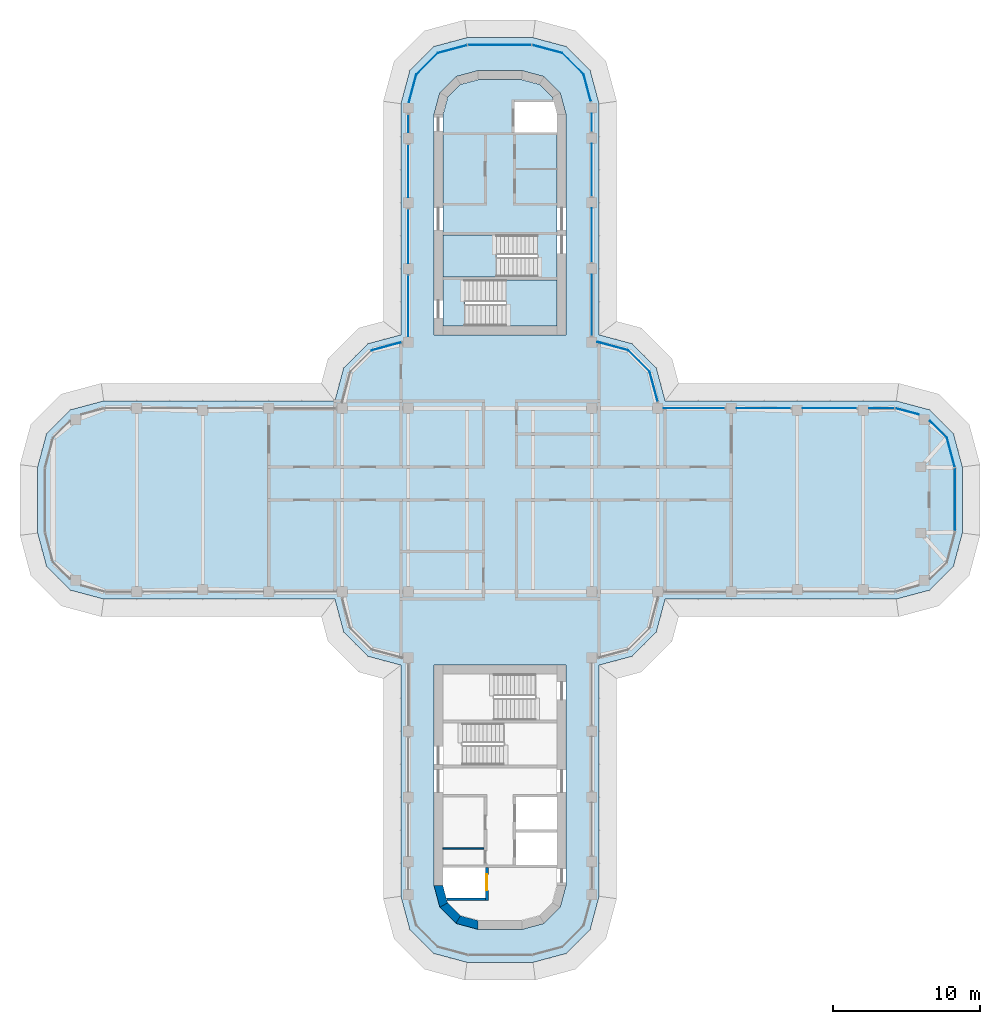
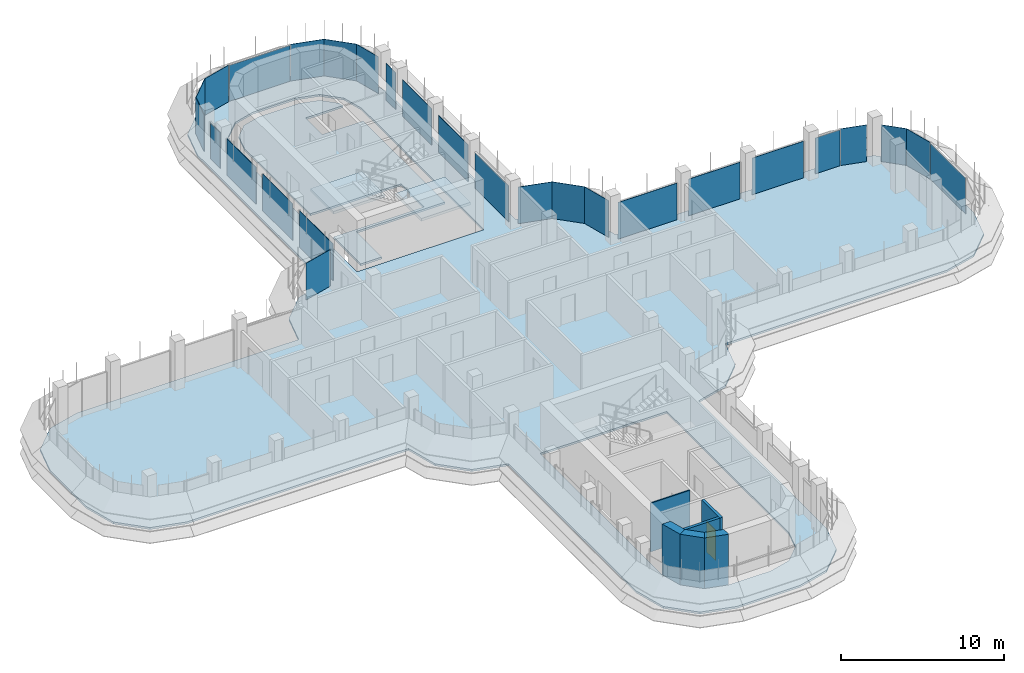
# One storey, part 12 of 18: 27 plates, 6 walls, 4 slabs, 1 door, 1 opening, 20 elements without a shape of their own.
"""IFC4 building model written with IfcOpenShell, lengths in metres."""

from ifc_helpers import new_model, si_unit, direction, frame, frame_2d, origin, place, context, subcontext, project, spatial, polyline, rectangle, outline, extrude, source, transform, mapped, material, layer, layer_set, type_object, element, fill, aggregate, save


model = new_model("IFC4")

# Units and contexts
model_context = context("Model", 3, precision=1e-05, world=origin(), true_north=direction((0.0, 1.0)))
body_context = subcontext(model_context, "Body", "Model", "MODEL_VIEW")
ifc_project = project(units=[si_unit("LENGTHUNIT", "METRE"), si_unit("AREAUNIT", "SQUARE_METRE"), si_unit("VOLUMEUNIT", "CUBIC_METRE"), si_unit("PLANEANGLEUNIT", "RADIAN"), si_unit("MASSUNIT", "GRAM", prefix="KILO")], contexts=[model_context])

# Site, building, storey
site_placement = place(None, origin())
site = spatial("IfcSite", under=ifc_project, at=site_placement, CompositionType="ELEMENT")
building_placement = place(site_placement, origin())
building = spatial("IfcBuilding", under=site, at=building_placement, Name="Zarbagh Exchange Tower", CompositionType="ELEMENT")
storey_placement = place(building_placement, frame((0.0, 0.0, 210.60009765625)))
storey = spatial("IfcBuildingStorey", under=building, at=storey_placement, Name="L51", CompositionType="ELEMENT", Elevation=210.60009765625)

# Slabs
ifc_material_1 = material(Name="Concrete C40/50", Category="concrete")
ifc_layer_1 = layer(ifc_material_1, 0.14990234375)
ifc_layer_set_1 = layer_set([ifc_layer_1], Name="Composite floor slab 150 C40/50")
slab_type_1 = type_object("IfcSlabType", Name="Composite floor slab 150 C40/50", PredefinedType="FLOOR", material=ifc_layer_set_1)
slab_1_placement = place(storey_placement, frame((0.0, 0.0, -0.150146484375)))
element("IfcSlab", 1, at=slab_1_placement, inside=storey, type_object=slab_type_1, Name="S5 composite floor slab", PredefinedType="FLOOR", context=body_context, shape_type="SweptSolid", body=[
    extrude(outline(polyline([(-2.25, -31.5), (-4.5, -30.897216796875), (-6.147216796875, -29.25), (-6.75, -27.0), (-6.75, -11.25), (-9.0, -10.647216796875), (-10.647216796875, -9.0), (-11.25, -6.75), (-27.0, -6.75), (-29.25, -6.147216796875), (-30.897216796875, -4.5), (-31.5, -2.25), (-31.5, 2.25), (-30.897216796875, 4.5), (-29.25, 6.147216796875), (-27.0, 6.75), (-11.25, 6.75), (-10.647216796875, 9.0), (-9.0, 10.647216796875), (-6.75, 11.25), (-6.75, 27.0), (-6.147216796875, 29.25), (-4.5, 30.897216796875), (-2.25, 31.5), (2.25, 31.5), (4.5, 30.897216796875), (6.147216796875, 29.25), (6.75, 27.0), (6.75, 11.25), (9.0, 10.647216796875), (10.647216796875, 9.0), (11.25, 6.75), (27.0, 6.75), (29.25, 6.147216796875), (30.897216796875, 4.5), (31.5, 2.25), (31.5, -2.25), (30.897216796875, -4.5), (29.25, -6.147216796875), (27.0, -6.75), (11.25, -6.75), (10.647216796875, -9.0), (9.0, -10.647216796875), (6.75, -11.25), (6.75, -27.0), (6.147216796875, -29.25), (4.5, -30.897216796875), (2.25, -31.5), (-2.25, -31.5)]), holes=[polyline([(4.5, 11.25), (4.5, 26.25), (4.09814453125, 27.75), (3.0, 28.84814453125), (1.5, 29.25), (-1.5, 29.25), (-3.0, 28.84814453125), (-4.09814453125, 27.75), (-4.5, 26.25), (-4.5, 11.25), (4.5, 11.25)]), polyline([(-1.5, -29.25), (1.5, -29.25), (3.0, -28.84814453125), (4.09814453125, -27.75), (4.5, -26.25), (4.5, -11.25), (-4.5, -11.25), (-4.5, -26.25), (-4.09814453125, -27.75), (-3.0, -28.84814453125), (-1.5, -29.25)])]), origin(), (0.0, 0.0, 1.0), 0.150146484375),
])
ifc_layer_2 = layer(ifc_material_1, 0.14990234375)
ifc_layer_set_2 = layer_set([ifc_layer_2], Name="Core floor slab 150 C40/50")
slab_type_2 = type_object("IfcSlabType", Name="Core floor slab 150 C40/50", PredefinedType="FLOOR", material=ifc_layer_set_2)
slab_2_placement = place(storey_placement, frame((0.0, 0.0, -0.150146484375)))
element("IfcSlab", 2, at=slab_2_placement, inside=storey, type_object=slab_type_2, Name="S17 core N", PredefinedType="FLOOR", context=body_context, shape_type="SweptSolid", body=[
    extrude(outline(polyline([(-3.89990234375, 11.85009765625), (-3.89990234375, 15.199951171875), (2.550048828125, 15.199951171875), (2.550048828125, 18.050048828125), (-3.89990234375, 18.050048828125), (-3.89990234375, 26.1708984375), (-3.56005859375, 27.439453125), (-2.689453125, 28.31005859375), (-1.4208984375, 28.64990234375), (1.4208984375, 28.64990234375), (2.689453125, 28.31005859375), (3.56005859375, 27.439453125), (3.651123046875, 27.10009765625), (1.0, 27.10009765625), (1.0, 25.050048828125), (3.89990234375, 25.050048828125), (3.89990234375, 15.0), (-2.39990234375, 15.0), (-2.39990234375, 11.85009765625), (-3.89990234375, 11.85009765625)])), origin(), (0.0, 0.0, 1.0), 0.150146484375),
])

# Stair, slab
stair_type = type_object("IfcStairType", Name="Exit stair two-flight half-turn", PredefinedType="HALF_TURN_STAIR", material=ifc_material_1)
stair_1_placement = place(storey_placement, origin())
stair_1 = element("IfcStair", 3, at=stair_1_placement, inside=storey, type_object=stair_type, Name="exit stair ST1", PredefinedType="HALF_TURN_STAIR")
ifc_layer_3 = layer(ifc_material_1, 0.199951171875)
ifc_layer_set_3 = layer_set([ifc_layer_3], Name="Stair landing 200 mm")
slab_type_3 = type_object("IfcSlabType", Name="Stair landing 200 mm", PredefinedType="LANDING", material=ifc_layer_set_3)
slab_3_placement = place(storey_placement, frame((0.0, 0.0, 1.699951171875)))
slab_3 = element("IfcSlab", 4, at=slab_3_placement, type_object=slab_type_3, Name="ST1 landing 1", PredefinedType="LANDING", context=body_context, shape_type="SweptSolid", body=[
    extrude(outline(polyline([(-0.25, 18.050048828125), (-3.89990234375, 18.050048828125), (-3.89990234375, 15.199951171875), (-0.25, 15.199951171875), (-0.25, 18.050048828125)])), origin(), (0.0, 0.0, 1.0), 0.199951171875),
])
aggregate(stair_1, [slab_3])

stair_2_placement = place(storey_placement, origin())
stair_2 = element("IfcStair", 5, at=stair_2_placement, inside=storey, type_object=stair_type, Name="exit stair ST2", PredefinedType="HALF_TURN_STAIR")
slab_4_placement = place(storey_placement, frame((0.0, 0.0, 1.699951171875)))
slab_4 = element("IfcSlab", 6, at=slab_4_placement, type_object=slab_type_3, Name="ST2 landing 1", PredefinedType="LANDING", context=body_context, shape_type="SweptSolid", body=[
    extrude(outline(polyline([(0.39990234375, 11.85009765625), (3.89990234375, 11.85009765625), (3.89990234375, 15.0), (0.39990234375, 15.0), (0.39990234375, 11.85009765625)])), origin(), (0.0, 0.0, 1.0), 0.199951171875),
])
aggregate(stair_2, [slab_4])

# Curtain wall, plate
ifc_material_2 = material(Name="Anodised aluminium frame and glazing", Category="aluminium")
curtain_wall_type = type_object("IfcCurtainWallType", Name="CWB Ribbon glazing, upper zones", PredefinedType="NOTDEFINED", material=ifc_material_2)
curtain_wall_1_placement = place(storey_placement, origin())
curtain_wall_1 = element("IfcCurtainWall", 7, at=curtain_wall_1_placement, inside=storey, type_object=curtain_wall_type, Name="CWB18 curtain wall", PredefinedType="NOTDEFINED")
ifc_material_3 = material(Name="Low-e double glazed unit, 6+12+6 mm")
ifc_layer_4 = layer(ifc_material_3, 0.031982421875)
ifc_layer_set_4 = layer_set([ifc_layer_4], Name="PAB Glazing panel, Low-e double glazed unit, 6+12+6 mm")
plate_type = type_object("IfcPlateType", Name="PAB Glazing panel, Low-e double glazed unit, 6+12+6 mm", PredefinedType="CURTAIN_PANEL", material=ifc_layer_set_4)
shared_shape_1 = source(origin(), body_context, "Body", "SweptSolid", [
    extrude(outline(polyline([(0.0, -0.01611328125), (2.061279296875, -0.01611328125), (2.061279296875, 0.01611328125), (0.0, 0.01611328125), (0.0, -0.01611328125)])), origin(), (0.0, 0.0, 1.0), 2.75),
])
placement = place(storey_placement, origin())
plate_1 = element("IfcPlate", 8, at=placement, type_object=plate_type, Name="CWB18 glazing panel 1.1", PredefinedType="CURTAIN_PANEL", context=body_context, shape_type="MappedRepresentation", body=[
    mapped(shared_shape_1, transform((10.19873046875, 8.7412109375, 0.0), x_axis=(-0.707106781187, 0.707106781187, 0.0), y_axis=(-0.707106781187, -0.707106781187, 0.0), z_axis=(0.0, 0.0, 1.0))),
])
aggregate(curtain_wall_1, [plate_1])

curtain_wall_2_placement = place(storey_placement, origin())
curtain_wall_2 = element("IfcCurtainWall", 9, at=curtain_wall_2_placement, inside=storey, type_object=curtain_wall_type, Name="CWB22 curtain wall", PredefinedType="NOTDEFINED")
plate_2 = element("IfcPlate", 10, at=placement, type_object=plate_type, Name="CWB22 glazing panel 1.1", PredefinedType="CURTAIN_PANEL", context=body_context, shape_type="MappedRepresentation", body=[
    mapped(shared_shape_1, transform((5.69873046875, 28.9912109375, 0.0), x_axis=(-0.707106781187, 0.707106781187, 0.0), y_axis=(-0.707106781187, -0.707106781187, 0.0), z_axis=(0.0, 0.0, 1.0))),
])
aggregate(curtain_wall_2, [plate_2])

curtain_wall_3_placement = place(storey_placement, origin())
curtain_wall_3 = element("IfcCurtainWall", 11, at=curtain_wall_3_placement, inside=storey, type_object=curtain_wall_type, Name="CWB26 curtain wall", PredefinedType="NOTDEFINED")
plate_3 = element("IfcPlate", 12, at=placement, type_object=plate_type, Name="CWB26 glazing panel 1.1", PredefinedType="CURTAIN_PANEL", context=body_context, shape_type="MappedRepresentation", body=[
    mapped(shared_shape_1, transform((-4.2412109375, 30.44873046875, 0.0), x_axis=(-0.707106781187, -0.707106781187, 0.0), y_axis=(0.707106781187, -0.707106781187, 0.0), z_axis=(0.0, 0.0, 1.0))),
])
aggregate(curtain_wall_3, [plate_3])

curtain_wall_4_placement = place(storey_placement, origin())
curtain_wall_4 = element("IfcCurtainWall", 13, at=curtain_wall_4_placement, inside=storey, type_object=curtain_wall_type, Name="CWB23 curtain wall", PredefinedType="NOTDEFINED")
shared_shape_2 = source(origin(), body_context, "Body", "SweptSolid", [
    extrude(outline(polyline([(0.0, -0.01611328125), (2.129638671875, -0.01611328125), (2.129638671875, 0.01611328125), (0.0, 0.01611328125), (0.0, -0.01611328125)])), origin(), (0.0, 0.0, 1.0), 2.75),
])
plate_4 = element("IfcPlate", 14, at=placement, type_object=plate_type, Name="CWB23 glazing panel 1.1", PredefinedType="CURTAIN_PANEL", context=body_context, shape_type="MappedRepresentation", body=[
    mapped(shared_shape_2, transform((4.2412109375, 30.44873046875, 0.0), x_axis=(-0.965924289636, 0.258824779902, 0.0), y_axis=(-0.258824779902, -0.965924289636, 0.0), z_axis=(0.0, 0.0, 1.0))),
])
aggregate(curtain_wall_4, [plate_4])

curtain_wall_5_placement = place(storey_placement, origin())
curtain_wall_5 = element("IfcCurtainWall", 15, at=curtain_wall_5_placement, inside=storey, type_object=curtain_wall_type, Name="CWB20 curtain wall", PredefinedType="NOTDEFINED")
shared_shape_3 = source(origin(), body_context, "Body", "SweptSolid", [
    extrude(outline(polyline([(0.0, -0.01611328125), (3.56005859375, -0.01611328125), (3.56005859375, 0.01611328125), (0.0, 0.01611328125), (0.0, -0.01611328125)])), origin(), (0.0, 0.0, 1.0), 2.75),
])
plate_5 = element("IfcPlate", 16, at=placement, type_object=plate_type, Name="CWB20 glazing panel 3.1", PredefinedType="CURTAIN_PANEL", context=body_context, shape_type="MappedRepresentation", body=[
    mapped(shared_shape_3, transform((6.25, 20.699951171875, 0.0), x_axis=(0.0, 1.0, 0.0), y_axis=(-1.0, 0.0, 0.0), z_axis=(0.0, 0.0, 1.0))),
])

curtain_wall_6_placement = place(storey_placement, origin())
curtain_wall_6 = element("IfcCurtainWall", 17, at=curtain_wall_6_placement, inside=storey, type_object=curtain_wall_type, Name="CWB28 curtain wall", PredefinedType="NOTDEFINED")
plate_6 = element("IfcPlate", 18, at=placement, type_object=plate_type, Name="CWB28 glazing panel 2.1", PredefinedType="CURTAIN_PANEL", context=body_context, shape_type="MappedRepresentation", body=[
    mapped(shared_shape_3, transform((-6.25, 24.199951171875, 0.0), x_axis=(0.0, -1.0, 0.0), y_axis=(1.0, 0.0, 0.0), z_axis=(0.0, 0.0, 1.0))),
])

curtain_wall_7_placement = place(storey_placement, origin())
curtain_wall_7 = element("IfcCurtainWall", 19, at=curtain_wall_7_placement, inside=storey, type_object=curtain_wall_type, Name="CWB12 curtain wall", PredefinedType="NOTDEFINED")
shared_shape_4 = source(origin(), body_context, "Body", "SweptSolid", [
    extrude(outline(polyline([(0.0, -0.01611328125), (4.308349609375, -0.01611328125), (4.308349609375, 0.01611328125), (0.0, 0.01611328125), (0.0, -0.01611328125)])), origin(), (0.0, 0.0, 1.0), 2.68994140625),
])
plate_7 = element("IfcPlate", 20, at=placement, type_object=plate_type, Name="CWB12 glazing panel 1.1", PredefinedType="CURTAIN_PANEL", context=body_context, shape_type="MappedRepresentation", body=[
    mapped(shared_shape_4, transform((31.0, -2.124267578125, 0.0), x_axis=(0.0, 1.0, 0.0), y_axis=(-1.0, 0.0, 0.0), z_axis=(0.0, 0.0, 1.0))),
])
aggregate(curtain_wall_7, [plate_7])

curtain_wall_8_placement = place(storey_placement, origin())
curtain_wall_8 = element("IfcCurtainWall", 21, at=curtain_wall_8_placement, inside=storey, type_object=curtain_wall_type, Name="CWB24 curtain wall", PredefinedType="NOTDEFINED")
plate_8 = element("IfcPlate", 22, at=placement, type_object=plate_type, Name="CWB24 glazing panel 1.1", PredefinedType="CURTAIN_PANEL", context=body_context, shape_type="MappedRepresentation", body=[
    mapped(shared_shape_4, transform((2.124267578125, 31.0, 0.0), x_axis=(-1.0, 0.0, 0.0), y_axis=(0.0, -1.0, 0.0), z_axis=(0.0, 0.0, 1.0))),
])
aggregate(curtain_wall_8, [plate_8])

curtain_wall_9_placement = place(storey_placement, origin())
curtain_wall_9 = element("IfcCurtainWall", 23, at=curtain_wall_9_placement, inside=storey, type_object=curtain_wall_type, Name="CWB13 curtain wall", PredefinedType="NOTDEFINED")
shared_shape_5 = source(origin(), body_context, "Body", "SweptSolid", [
    extrude(outline(polyline([(0.0, -0.01611328125), (2.069580078125, -0.01611328125), (2.069580078125, 0.01611328125), (0.0, 0.01611328125), (0.0, -0.01611328125)])), origin(), (0.0, 0.0, 1.0), 2.75),
])
plate_9 = element("IfcPlate", 24, at=placement, type_object=plate_type, Name="CWB13 glazing panel 1.1", PredefinedType="CURTAIN_PANEL", context=body_context, shape_type="MappedRepresentation", body=[
    mapped(shared_shape_5, transform((30.984375, 2.2421875, 0.0), x_axis=(-0.258824779902, 0.965924289636, 0.0), y_axis=(-0.965924289636, -0.258824779902, 0.0), z_axis=(0.0, 0.0, 1.0))),
])
aggregate(curtain_wall_9, [plate_9])

curtain_wall_10_placement = place(storey_placement, origin())
curtain_wall_10 = element("IfcCurtainWall", 25, at=curtain_wall_10_placement, inside=storey, type_object=curtain_wall_type, Name="CWB25 curtain wall", PredefinedType="NOTDEFINED")
plate_10 = element("IfcPlate", 26, at=placement, type_object=plate_type, Name="CWB25 glazing panel 1.1", PredefinedType="CURTAIN_PANEL", context=body_context, shape_type="MappedRepresentation", body=[
    mapped(shared_shape_5, transform((-2.2421875, 30.984375, 0.0), x_axis=(-0.965924289636, -0.258824779902, 0.0), y_axis=(0.258824779902, -0.965924289636, 0.0), z_axis=(0.0, 0.0, 1.0))),
])
aggregate(curtain_wall_10, [plate_10])

# Curtain wall, plates
curtain_wall_11_placement = place(storey_placement, origin())
curtain_wall_11 = element("IfcCurtainWall", 27, at=curtain_wall_11_placement, inside=storey, type_object=curtain_wall_type, Name="CWB16 curtain wall", PredefinedType="NOTDEFINED")
shared_shape_6 = source(origin(), body_context, "Body", "SweptSolid", [
    extrude(outline(polyline([(0.0, -0.01611328125), (3.659912109375, -0.01611328125), (3.659912109375, 0.01611328125), (0.0, 0.01611328125), (0.0, -0.01611328125)])), origin(), (0.0, 0.0, 1.0), 2.75),
])
plate_11 = element("IfcPlate", 28, at=placement, type_object=plate_type, Name="CWB16 glazing panel 2.1", PredefinedType="CURTAIN_PANEL", context=body_context, shape_type="MappedRepresentation", body=[
    mapped(shared_shape_6, transform((24.300048828125, 6.25, 0.0), x_axis=(-1.0, 0.0, 0.0), y_axis=(0.0, -1.0, 0.0), z_axis=(0.0, 0.0, 1.0))),
])
plate_12 = element("IfcPlate", 29, at=placement, type_object=plate_type, Name="CWB16 glazing panel 3.1", PredefinedType="CURTAIN_PANEL", context=body_context, shape_type="MappedRepresentation", body=[
    mapped(shared_shape_6, transform((19.800048828125, 6.25, 0.0), x_axis=(-1.0, 0.0, 0.0), y_axis=(0.0, -1.0, 0.0), z_axis=(0.0, 0.0, 1.0))),
])

# Plate
plate_13 = element("IfcPlate", 30, at=placement, type_object=plate_type, Name="CWB20 glazing panel 2.1", PredefinedType="CURTAIN_PANEL", context=body_context, shape_type="MappedRepresentation", body=[
    mapped(shared_shape_6, transform((6.25, 16.199951171875, 0.0), x_axis=(0.0, 1.0, 0.0), y_axis=(-1.0, 0.0, 0.0), z_axis=(0.0, 0.0, 1.0))),
])

plate_14 = element("IfcPlate", 31, at=placement, type_object=plate_type, Name="CWB28 glazing panel 3.1", PredefinedType="CURTAIN_PANEL", context=body_context, shape_type="MappedRepresentation", body=[
    mapped(shared_shape_6, transform((-6.25, 19.800048828125, 0.0), x_axis=(0.0, -1.0, 0.0), y_axis=(1.0, 0.0, 0.0), z_axis=(0.0, 0.0, 1.0))),
])

shared_shape_7 = source(origin(), body_context, "Body", "SweptSolid", [
    extrude(outline(polyline([(0.0, -0.01611328125), (4.159912109375, -0.01611328125), (4.159912109375, 0.01611328125), (0.0, 0.01611328125), (0.0, -0.01611328125)])), origin(), (0.0, 0.0, 1.0), 2.75),
])
plate_15 = element("IfcPlate", 32, at=placement, type_object=plate_type, Name="CWB16 glazing panel 4.1", PredefinedType="CURTAIN_PANEL", context=body_context, shape_type="MappedRepresentation", body=[
    mapped(shared_shape_7, transform((15.300048828125, 6.25, 0.0), x_axis=(-1.0, 0.0, 0.0), y_axis=(0.0, -1.0, 0.0), z_axis=(0.0, 0.0, 1.0))),
])

plate_16 = element("IfcPlate", 33, at=placement, type_object=plate_type, Name="CWB28 glazing panel 4.1", PredefinedType="CURTAIN_PANEL", context=body_context, shape_type="MappedRepresentation", body=[
    mapped(shared_shape_7, transform((-6.25, 15.300048828125, 0.0), x_axis=(0.0, -1.0, 0.0), y_axis=(1.0, 0.0, 0.0), z_axis=(0.0, 0.0, 1.0))),
])

# Curtain wall, plate
curtain_wall_12_placement = place(storey_placement, origin())
curtain_wall_12 = element("IfcCurtainWall", 34, at=curtain_wall_12_placement, inside=storey, type_object=curtain_wall_type, Name="CWB17 curtain wall", PredefinedType="NOTDEFINED")
shared_shape_8 = source(origin(), body_context, "Body", "SweptSolid", [
    extrude(outline(polyline([(0.0, -0.01611328125), (2.115234375, -0.01611328125), (2.115234375, 0.01611328125), (0.0, 0.01611328125), (0.0, -0.01611328125)])), origin(), (0.0, 0.0, 1.0), 2.75),
])
plate_17 = element("IfcPlate", 35, at=placement, type_object=plate_type, Name="CWB17 glazing panel 1.1", PredefinedType="CURTAIN_PANEL", context=body_context, shape_type="MappedRepresentation", body=[
    mapped(shared_shape_8, transform((10.746337890625, 6.697998046875, 0.0), x_axis=(-0.258824779902, 0.965924289636, 0.0), y_axis=(-0.965924289636, -0.258824779902, 0.0), z_axis=(0.0, 0.0, 1.0))),
])
aggregate(curtain_wall_12, [plate_17])

curtain_wall_13_placement = place(storey_placement, origin())
curtain_wall_13 = element("IfcCurtainWall", 36, at=curtain_wall_13_placement, inside=storey, type_object=curtain_wall_type, Name="CWB29 curtain wall", PredefinedType="NOTDEFINED")
plate_18 = element("IfcPlate", 37, at=placement, type_object=plate_type, Name="CWB29 glazing panel 1.1", PredefinedType="CURTAIN_PANEL", context=body_context, shape_type="MappedRepresentation", body=[
    mapped(shared_shape_8, transform((-6.697998046875, 10.746337890625, 0.0), x_axis=(-0.965924289636, -0.258824779902, 0.0), y_axis=(0.258824779902, -0.965924289636, 0.0), z_axis=(0.0, 0.0, 1.0))),
])
aggregate(curtain_wall_13, [plate_18])

curtain_wall_14_placement = place(storey_placement, origin())
curtain_wall_14 = element("IfcCurtainWall", 38, at=curtain_wall_14_placement, inside=storey, type_object=curtain_wall_type, Name="CWB19 curtain wall", PredefinedType="NOTDEFINED")
shared_shape_9 = source(origin(), body_context, "Body", "SweptSolid", [
    extrude(outline(polyline([(0.0, -0.01611328125), (2.17529296875, -0.01611328125), (2.17529296875, 0.01611328125), (0.0, 0.01611328125), (0.0, -0.01611328125)])), origin(), (0.0, 0.0, 1.0), 2.75),
])
plate_19 = element("IfcPlate", 39, at=placement, type_object=plate_type, Name="CWB19 glazing panel 1.1", PredefinedType="CURTAIN_PANEL", context=body_context, shape_type="MappedRepresentation", body=[
    mapped(shared_shape_9, transform((8.7412109375, 10.19873046875, 0.0), x_axis=(-0.965924289636, 0.258824779902, 0.0), y_axis=(-0.258824779902, -0.965924289636, 0.0), z_axis=(0.0, 0.0, 1.0))),
])
aggregate(curtain_wall_14, [plate_19])

# Plate
shared_shape_10 = source(origin(), body_context, "Body", "SweptSolid", [
    extrude(outline(polyline([(0.0, -0.01611328125), (4.159912109375, -0.01611328125), (4.159912109375, 0.01611328125), (0.0, 0.01611328125), (0.0, -0.01611328125)])), origin(), (0.0, 0.0, 1.0), 2.68994140625),
])
plate_20 = element("IfcPlate", 40, at=placement, type_object=plate_type, Name="CWB20 glazing panel 1.1", PredefinedType="CURTAIN_PANEL", context=body_context, shape_type="MappedRepresentation", body=[
    mapped(shared_shape_10, transform((6.25, 11.199951171875, 0.0), x_axis=(0.0, 1.0, 0.0), y_axis=(-1.0, 0.0, 0.0), z_axis=(0.0, 0.0, 1.0))),
])

# Curtain wall, plate
curtain_wall_15_placement = place(storey_placement, origin())
curtain_wall_15 = element("IfcCurtainWall", 41, at=curtain_wall_15_placement, inside=storey, type_object=curtain_wall_type, Name="CWB14 curtain wall", PredefinedType="NOTDEFINED")
shared_shape_11 = source(origin(), body_context, "Body", "SweptSolid", [
    extrude(outline(polyline([(0.0, -0.01611328125), (1.62744140625, -0.01611328125), (1.62744140625, 0.01611328125), (0.0, 0.01611328125), (0.0, -0.01611328125)])), origin(), (0.0, 0.0, 1.0), 2.75),
])
plate_21 = element("IfcPlate", 42, at=placement, type_object=plate_type, Name="CWB14 glazing panel 1.1", PredefinedType="CURTAIN_PANEL", context=body_context, shape_type="MappedRepresentation", body=[
    mapped(shared_shape_11, transform((30.44873046875, 4.2412109375, 0.0), x_axis=(-0.707106781187, 0.707106781187, 0.0), y_axis=(-0.707106781187, -0.707106781187, 0.0), z_axis=(0.0, 0.0, 1.0))),
])
aggregate(curtain_wall_15, [plate_21])

curtain_wall_16_placement = place(storey_placement, origin())
curtain_wall_16 = element("IfcCurtainWall", 43, at=curtain_wall_16_placement, inside=storey, type_object=curtain_wall_type, Name="CWB15 curtain wall", PredefinedType="NOTDEFINED")
shared_shape_12 = source(origin(), body_context, "Body", "SweptSolid", [
    extrude(outline(polyline([(0.0, -0.01611328125), (1.6396484375, -0.01611328125), (1.6396484375, 0.01611328125), (0.0, 0.01611328125), (0.0, -0.01611328125)])), origin(), (0.0, 0.0, 1.0), 2.75),
])
plate_22 = element("IfcPlate", 44, at=placement, type_object=plate_type, Name="CWB15 glazing panel 1.1", PredefinedType="CURTAIN_PANEL", context=body_context, shape_type="MappedRepresentation", body=[
    mapped(shared_shape_12, transform((28.51806640625, 5.82568359375, 0.0), x_axis=(-0.965924289636, 0.258824779902, 0.0), y_axis=(-0.258824779902, -0.965924289636, 0.0), z_axis=(0.0, 0.0, 1.0))),
])
aggregate(curtain_wall_16, [plate_22])

# Plate
shared_shape_13 = source(origin(), body_context, "Body", "SweptSolid", [
    extrude(outline(polyline([(0.0, -0.01611328125), (1.734130859375, -0.01611328125), (1.734130859375, 0.01611328125), (0.0, 0.01611328125), (0.0, -0.01611328125)])), origin(), (0.0, 0.0, 1.0), 2.68994140625),
])
plate_23 = element("IfcPlate", 45, at=placement, type_object=plate_type, Name="CWB16 glazing panel 1.1", PredefinedType="CURTAIN_PANEL", context=body_context, shape_type="MappedRepresentation", body=[
    mapped(shared_shape_13, transform((26.874267578125, 6.25, 0.0), x_axis=(-1.0, 0.0, 0.0), y_axis=(0.0, -1.0, 0.0), z_axis=(0.0, 0.0, 1.0))),
])

aggregate(curtain_wall_11, [plate_23, plate_11, plate_12, plate_15])

shared_shape_14 = source(origin(), body_context, "Body", "SweptSolid", [
    extrude(outline(polyline([(0.0, -0.01611328125), (1.2099609375, -0.01611328125), (1.2099609375, 0.01611328125), (0.0, 0.01611328125), (0.0, -0.01611328125)])), origin(), (0.0, 0.0, 1.0), 2.75),
])
plate_24 = element("IfcPlate", 46, at=placement, type_object=plate_type, Name="CWB20 glazing panel 4.1", PredefinedType="CURTAIN_PANEL", context=body_context, shape_type="MappedRepresentation", body=[
    mapped(shared_shape_14, transform((6.25, 25.10009765625, 0.0), x_axis=(0.0, 1.0, 0.0), y_axis=(-1.0, 0.0, 0.0), z_axis=(0.0, 0.0, 1.0))),
])

aggregate(curtain_wall_5, [plate_20, plate_13, plate_5, plate_24])

# Curtain wall, plate
curtain_wall_17_placement = place(storey_placement, origin())
curtain_wall_17 = element("IfcCurtainWall", 47, at=curtain_wall_17_placement, inside=storey, type_object=curtain_wall_type, Name="CWB21 curtain wall", PredefinedType="NOTDEFINED")
shared_shape_15 = source(origin(), body_context, "Body", "SweptSolid", [
    extrude(outline(polyline([(0.0, -0.01611328125), (1.908203125, -0.01611328125), (1.908203125, 0.01611328125), (0.0, 0.01611328125), (0.0, -0.01611328125)])), origin(), (0.0, 0.0, 1.0), 2.75),
])
plate_25 = element("IfcPlate", 48, at=placement, type_object=plate_type, Name="CWB21 glazing panel 1.1", PredefinedType="CURTAIN_PANEL", context=body_context, shape_type="MappedRepresentation", body=[
    mapped(shared_shape_15, transform((6.192626953125, 27.14794921875, 0.0), x_axis=(-0.258824779902, 0.965924289636, 0.0), y_axis=(-0.965924289636, -0.258824779902, 0.0), z_axis=(0.0, 0.0, 1.0))),
])
aggregate(curtain_wall_17, [plate_25])

curtain_wall_18_placement = place(storey_placement, origin())
curtain_wall_18 = element("IfcCurtainWall", 49, at=curtain_wall_18_placement, inside=storey, type_object=curtain_wall_type, Name="CWB27 curtain wall", PredefinedType="NOTDEFINED")
shared_shape_16 = source(origin(), body_context, "Body", "SweptSolid", [
    extrude(outline(polyline([(0.0, -0.01611328125), (1.96826171875, -0.01611328125), (1.96826171875, 0.01611328125), (0.0, 0.01611328125), (0.0, -0.01611328125)])), origin(), (0.0, 0.0, 1.0), 2.75),
])
plate_26 = element("IfcPlate", 50, at=placement, type_object=plate_type, Name="CWB27 glazing panel 1.1", PredefinedType="CURTAIN_PANEL", context=body_context, shape_type="MappedRepresentation", body=[
    mapped(shared_shape_16, transform((-5.69873046875, 28.9912109375, 0.0), x_axis=(-0.258824779902, -0.965924289636, 0.0), y_axis=(0.965924289636, -0.258824779902, 0.0), z_axis=(0.0, 0.0, 1.0))),
])
aggregate(curtain_wall_18, [plate_26])

# Plate
shared_shape_17 = source(origin(), body_context, "Body", "SweptSolid", [
    extrude(outline(polyline([(0.0, -0.01611328125), (1.2099609375, -0.01611328125), (1.2099609375, 0.01611328125), (0.0, 0.01611328125), (0.0, -0.01611328125)])), origin(), (0.0, 0.0, 1.0), 2.68994140625),
])
plate_27 = element("IfcPlate", 51, at=placement, type_object=plate_type, Name="CWB28 glazing panel 1.1", PredefinedType="CURTAIN_PANEL", context=body_context, shape_type="MappedRepresentation", body=[
    mapped(shared_shape_17, transform((-6.25, 26.25, 0.0), x_axis=(0.0, -1.0, 0.0), y_axis=(1.0, 0.0, 0.0), z_axis=(0.0, 0.0, 1.0))),
])

aggregate(curtain_wall_6, [plate_27, plate_6, plate_14, plate_16])

# Walls
ifc_material_4 = material(Name="Dense blockwork", Category="masonry")
ifc_layer_5 = layer(ifc_material_4, 0.10009765625)
ifc_layer_set_5 = layer_set([ifc_layer_5], Name="Core partition 100 mm blockwork")
wall_type_1 = type_object("IfcWallType", Name="Core partition 100 mm blockwork", PredefinedType="PARTITIONING", material=ifc_layer_set_5)
wall_1_placement = place(storey_placement, frame((-1.10009765625, -23.75, 0.0), z_axis=(0.0, 0.0, 1.0), x_axis=(-1.0, 0.0, 0.0)))
element("IfcWall", 52, at=wall_1_placement, inside=storey, type_object=wall_type_1, Name="South core partition wall CUT-E-460", PredefinedType="PARTITIONING", context=body_context, shape_type="SweptSolid", body=[
    extrude(rectangle(XDim=2.7998046875, YDim=0.10009765625, at=frame_2d((1.39990234375, 0.0))), origin(), (0.0, 0.0, 1.0), 3.64990234375),
])
ifc_material_5 = material(Name="Concrete C50/60", Category="concrete")
ifc_layer_6 = layer(ifc_material_5, 0.60009765625)
ifc_layer_set_6 = layer_set([ifc_layer_6], Name="RC core corner wall 600 C50/60")
wall_type_2 = type_object("IfcWallType", Name="RC core corner wall 600 C50/60", PredefinedType="SHEAR", material=ifc_layer_set_6)
wall_2_placement = place(storey_placement, origin())
element("IfcWall", 53, at=wall_2_placement, inside=storey, type_object=wall_type_2, Name="CW8 core S corner W", PredefinedType="SHEAR", context=body_context, shape_type="SweptSolid", body=[
    extrude(outline(polyline([(-4.5, -26.25), (-4.09814453125, -27.75), (-3.57861328125, -27.449951171875), (-3.89990234375, -26.25), (-4.5, -26.25)])), origin(), (0.0, 0.0, 1.0), 3.7998046875),
])
wall_3_placement = place(storey_placement, origin())
element("IfcWall", 54, at=wall_3_placement, inside=storey, type_object=wall_type_2, Name="CW8 core S corner W", PredefinedType="SHEAR", context=body_context, shape_type="SweptSolid", body=[
    extrude(outline(polyline([(-4.09814453125, -27.75), (-3.0, -28.84814453125), (-2.699951171875, -28.32861328125), (-3.57861328125, -27.449951171875), (-4.09814453125, -27.75)])), origin(), (0.0, 0.0, 1.0), 3.7998046875),
])
wall_4_placement = place(storey_placement, origin())
element("IfcWall", 55, at=wall_4_placement, inside=storey, type_object=wall_type_2, Name="CW8 core S corner W", PredefinedType="SHEAR", context=body_context, shape_type="SweptSolid", body=[
    extrude(outline(polyline([(-3.0, -28.84814453125), (-1.5, -29.25), (-1.5, -28.64990234375), (-2.699951171875, -28.32861328125), (-3.0, -28.84814453125)])), origin(), (0.0, 0.0, 1.0), 3.7998046875),
])

# Wall, opening, door
ifc_layer_7 = layer(ifc_material_1, 0.199951171875)
ifc_layer_set_7 = layer_set([ifc_layer_7], Name="Stair enclosure wall 200 mm RC C40/50")
wall_type_3 = type_object("IfcWallType", Name="Stair enclosure wall 200 mm RC C40/50", PredefinedType="SHEAR", material=ifc_layer_set_7)
wall_5_placement = place(storey_placement, frame((-0.89990234375, -27.300048828125, 0.0), z_axis=(0.0, 0.0, 1.0), x_axis=(0.0, 1.0, 0.0)))
wall_5 = element("IfcWall", 56, at=wall_5_placement, inside=storey, type_object=wall_type_3, Name="South core lift shaft wall FFL", PredefinedType="SHEAR", context=body_context, shape_type="SweptSolid", body=[
    extrude(rectangle(XDim=2.25, YDim=0.199951171875, at=frame_2d((1.125, 0.0))), origin(), (0.0, 0.0, 1.0), 3.64990234375),
])
opening_placement = place(wall_5_placement, frame((0.699951171875, 0.0, 0.0)))
opening = element("IfcOpeningElement", 57, at=opening_placement, cuts=wall_5, Name="Opening LD-1100", PredefinedType="OPENING", context=body_context, shape_type="SweptSolid", body=[
    extrude(rectangle(XDim=1.10009765625, YDim=2.300048828125, at=frame_2d((0.550048828125, 1.14990234375))), frame((0.0, 0.10986328125, 0.0), z_axis=(0.0, -1.0, 0.0), x_axis=(1.0, 0.0, 0.0)), (0.0, 0.0, 1.0), 0.219970703125),
])
ifc_material_6 = material(Name="Stainless steel", Category="steel")
door_type = type_object("IfcDoorType", Name="Lift landing door 1100 x 2300", OperationType="NOTDEFINED", PredefinedType="DOOR", material=ifc_material_6)
door_placement = place(opening_placement, origin())
door = element("IfcDoor", 58, at=door_placement, inside=storey, type_object=door_type, Name="South core lift landing door LD-F", OperationType="DOUBLE_DOOR_SLIDING", OverallHeight=2.300048828125, OverallWidth=1.10009765625, PredefinedType="DOOR", context=body_context, shape_type="SweptSolid", body=[
    extrude(rectangle(XDim=1.10009765625, YDim=2.300048828125, at=frame_2d((0.550048828125, 1.14990234375))), frame((0.0, 0.02490234375, 0.0), z_axis=(0.0, -1.0, 0.0), x_axis=(1.0, 0.0, 0.0)), (0.0, 0.0, 1.0), 0.050048828125),
])
fill(opening, door)

# Wall
wall_6_placement = place(storey_placement, origin())
element("IfcWall", 59, at=wall_6_placement, inside=storey, type_object=wall_type_3, Name="South core lift shaft wall FFX", PredefinedType="SHEAR", context=body_context, shape_type="SweptSolid", body=[
    extrude(outline(polyline([(-1.0, -27.10009765625), (-3.651123046875, -27.10009765625), (-3.597412109375, -27.300048828125), (-1.0, -27.300048828125), (-1.0, -27.10009765625)])), origin(), (0.0, 0.0, 1.0), 3.64990234375),
])

save(model, "model.ifc")
